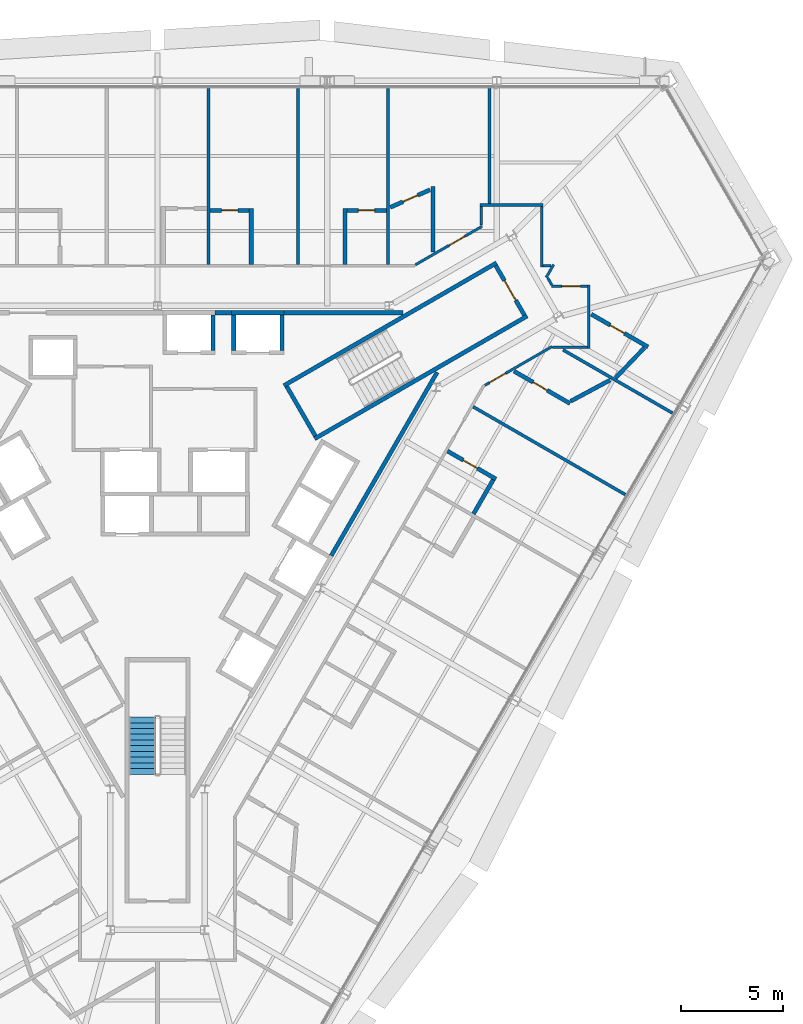
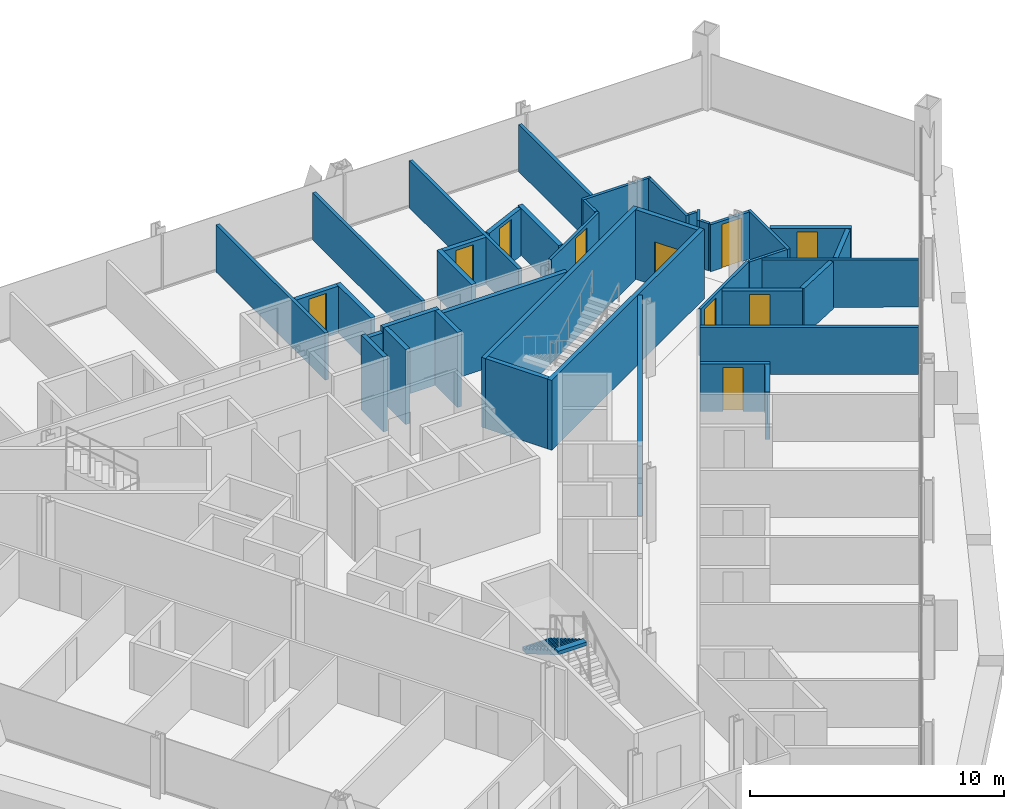
# One storey, part 14 of 17: 40 walls, 10 doors, 1 stair flight, 10 openings, 1 element without a shape of its own.
"""IFC4 building model written with IfcOpenShell, lengths in metres."""

from ifc_helpers import new_model, si_unit, direction, frame, frame_2d, origin, place, context, subcontext, project, spatial, polyline, rectangle, outline, extrude, material, layer, layer_set, type_object, element, fill, aggregate, save


model = new_model("IFC4")

# Units and contexts
model_context = context("Model", 3, precision=1e-05, world=origin(), true_north=direction((0.0, 1.0)))
body_context = subcontext(model_context, "Body", "Model", "MODEL_VIEW")
ifc_project = project(units=[si_unit("LENGTHUNIT", "METRE"), si_unit("AREAUNIT", "SQUARE_METRE"), si_unit("VOLUMEUNIT", "CUBIC_METRE"), si_unit("PLANEANGLEUNIT", "RADIAN"), si_unit("MASSUNIT", "GRAM", prefix="KILO")], contexts=[model_context])

# Site, building, storey
site_placement = place(None, origin())
site = spatial("IfcSite", under=ifc_project, at=site_placement, CompositionType="ELEMENT")
building_placement = place(site_placement, origin())
building = spatial("IfcBuilding", under=site, at=building_placement, Name="Verrane Prism Tower", CompositionType="ELEMENT")
storey_placement = place(building_placement, frame((0.0, 0.0, 139.60009765625)))
storey = spatial("IfcBuildingStorey", under=building, at=storey_placement, Name="L34", CompositionType="ELEMENT", Elevation=139.60009765625)

# Walls
ifc_material_1 = material(Name="Gypsum board partition", Category="other")
ifc_layer_1 = layer(ifc_material_1, 0.199951171875)
ifc_layer_set_1 = layer_set([ifc_layer_1], Name="CW-200 core boundary wall 2 h")
wall_type_1 = type_object("IfcWallType", Name="CW-200 core boundary wall 2 h", PredefinedType="PARTITIONING", material=ifc_layer_set_1)
wall_1_placement = place(storey_placement, frame((2.81689453125, 8.860107421875, 0.0), z_axis=(0.0, 0.0, 1.0), x_axis=(1.0, 0.0, 0.0)))
element("IfcWall", 1, at=wall_1_placement, inside=storey, type_object=wall_type_1, Name="Core boundary wall CW3-011", PredefinedType="PARTITIONING", context=body_context, shape_type="SweptSolid", body=[
    extrude(rectangle(XDim=0.80615234375, YDim=0.199951171875, at=frame_2d((0.403076171875, 0.0))), origin(), (0.0, 0.0, 1.0), 3.349853515625),
])
wall_2_placement = place(storey_placement, frame((6.177001953125, 8.860107421875, 0.0), z_axis=(0.0, 0.0, 1.0), x_axis=(1.0, 0.0, 0.0)))
element("IfcWall", 2, at=wall_2_placement, inside=storey, type_object=wall_type_1, Name="Core boundary wall CW3-013", PredefinedType="PARTITIONING", context=body_context, shape_type="SweptSolid", body=[
    extrude(rectangle(XDim=5.81396484375, YDim=0.199951171875, at=frame_2d((2.906982421875, 0.0))), origin(), (0.0, 0.0, 1.0), 3.349853515625),
])
wall_3_placement = place(storey_placement, frame((8.491943359375, -3.011962890625, 0.0), z_axis=(0.0, 0.0, 1.0), x_axis=(0.499972957231, 0.866041016371, 0.0)))
element("IfcWall", 3, at=wall_3_placement, inside=storey, type_object=wall_type_1, Name="Core boundary wall CW3-014", PredefinedType="PARTITIONING", context=body_context, shape_type="SweptSolid", body=[
    extrude(rectangle(XDim=10.3486328125, YDim=0.199951171875, at=frame_2d((5.17431640625, 0.0))), origin(), (0.0, 0.0, 1.0), 3.349853515625),
])

# Wall, opening, door
ifc_material_2 = material(Name="Concrete C40/50", Category="concrete")
ifc_layer_2 = layer(ifc_material_2, 0.199951171875)
ifc_layer_set_2 = layer_set([ifc_layer_2], Name="CW-200 stair core wall concrete C40/50 3 h")
wall_type_2 = type_object("IfcWallType", Name="CW-200 stair core wall concrete C40/50 3 h", PredefinedType="PARTITIONING", material=ifc_layer_set_2)
wall_4_placement = place(storey_placement, frame((17.933837890625, 8.737548828125, 0.0), z_axis=(0.0, 0.0, 1.0), x_axis=(-0.49998411664, 0.866034573852, 0.0)))
wall_4 = element("IfcWall", 4, at=wall_4_placement, inside=storey, type_object=wall_type_2, Name="Stair 1 enclosure wall", PredefinedType="PARTITIONING", context=body_context, shape_type="SweptSolid", body=[
    extrude(rectangle(XDim=2.7998046875, YDim=0.199951171875, at=frame_2d((1.39990234375, 0.0))), origin(), (0.0, 0.0, 1.0), 3.349853515625),
])
opening_1_placement = place(wall_4_placement, frame((0.849853515625, 0.0, 0.0)))
opening_1 = element("IfcOpeningElement", 5, at=opening_1_placement, cuts=wall_4, Name="Opening D32500", PredefinedType="OPENING", context=body_context, shape_type="SweptSolid", body=[
    extrude(rectangle(XDim=1.10009765625, YDim=2.10009765625, at=frame_2d((0.550048828125, 1.050048828125))), frame((0.0, 0.10986328125, 0.0), z_axis=(0.0, -1.0, 0.0), x_axis=(1.0, 0.0, 0.0)), (0.0, 0.0, 1.0), 0.219970703125),
])
ifc_material_3 = material(Name="Timber veneered door leaf", Category="wood")
door_type_1 = type_object("IfcDoorType", Name="DR-1100x2100 FD90 single leaf stair", OperationType="NOTDEFINED", PredefinedType="DOOR", material=ifc_material_3)
door_1_placement = place(opening_1_placement, origin())
door_1 = element("IfcDoor", 6, at=door_1_placement, inside=storey, type_object=door_type_1, Name="Stair 1 door", OperationType="SINGLE_SWING_LEFT", OverallHeight=2.10009765625, OverallWidth=1.10009765625, PredefinedType="DOOR", context=body_context, shape_type="SweptSolid", body=[
    extrude(rectangle(XDim=1.10009765625, YDim=2.10009765625, at=frame_2d((0.550048828125, 1.050048828125))), frame((0.0, 0.02490234375, 0.0), z_axis=(0.0, -1.0, 0.0), x_axis=(1.0, 0.0, 0.0)), (0.0, 0.0, 1.0), 0.050048828125),
])
fill(opening_1, door_1)

# Walls
for number, where, z_axis, x_axis, name in (
    (7, (6.17822265625, 5.299072265625, 0.0), (0.0, 0.0, 1.0), (0.866026010844, 0.49999894854, 0.0), "Stair 1 enclosure wall"),
    (8, (7.67822265625, 2.700927734375, 0.0), (0.0, 0.0, 1.0), (0.866026010844, 0.49999894854, 0.0), "Stair 1 enclosure wall"),
):
    element("IfcWall", number, at=place(storey_placement, frame(where, z_axis=z_axis, x_axis=x_axis)), inside=storey, type_object=wall_type_2, Name=name, PredefinedType="PARTITIONING", context=body_context, shape_type="SweptSolid", body=[
        extrude(rectangle(XDim=12.0, YDim=0.199951171875, at=frame_2d((6.0, 0.0))), origin(), (0.0, 0.0, 1.0), 3.349853515625),
    ])
wall_5_placement = place(storey_placement, frame((7.71484375, 2.837646484375, 0.0), z_axis=(0.0, 0.0, 1.0), x_axis=(-0.500049511043, 0.865996816683, 0.0)))
element("IfcWall", 9, at=wall_5_placement, inside=storey, type_object=wall_type_2, Name="Stair 1 enclosure wall", PredefinedType="PARTITIONING", context=body_context, shape_type="SweptSolid", body=[
    extrude(rectangle(XDim=2.800048828125, YDim=0.199951171875, at=frame_2d((1.39990234375, 0.0))), origin(), (0.0, 0.0, 1.0), 3.349853515625),
])
ifc_material_4 = material(Name="Gypsum board shaft wall assembly", Category="other")
ifc_layer_3 = layer(ifc_material_4, 0.199951171875)
ifc_layer_set_3 = layer_set([ifc_layer_3], Name="HW-200 lift shaft wall 2 h")
wall_type_3 = type_object("IfcWallType", Name="HW-200 lift shaft wall 2 h", PredefinedType="PARTITIONING", material=ifc_layer_set_3)
wall_6_placement = place(storey_placement, frame((3.625, 8.860107421875, 0.0), z_axis=(0.0, 0.0, 1.0), x_axis=(1.0, 0.0, 0.0)))
element("IfcWall", 10, at=wall_6_placement, inside=storey, type_object=wall_type_3, Name="Lift shaft wall", PredefinedType="PARTITIONING", context=body_context, shape_type="SweptSolid", body=[
    extrude(rectangle(XDim=2.550048828125, YDim=0.199951171875, at=frame_2d((1.27490234375, 0.0))), origin(), (0.0, 0.0, 1.0), 3.599853515625),
])
for number, where, z_axis, x_axis, name in (
    (11, (6.074951171875, 7.010009765625, 0.0), (0.0, 0.0, 1.0), (0.0, 1.0, 0.0), "Lift shaft wall"),
    (12, (3.72509765625, 7.010009765625, 0.0), (0.0, 0.0, 1.0), (0.0, 1.0, 0.0), "Lift shaft wall"),
    (13, (2.715087890625, 7.010009765625, 0.0), (0.0, 0.0, 1.0), (0.0, 1.0, 0.0), "Lift shaft wall"),
):
    element("IfcWall", number, at=place(storey_placement, frame(where, z_axis=z_axis, x_axis=x_axis)), inside=storey, type_object=wall_type_3, Name=name, PredefinedType="PARTITIONING", context=body_context, shape_type="SweptSolid", body=[
        extrude(rectangle(XDim=1.75, YDim=0.199951171875, at=frame_2d((0.875, 0.0))), origin(), (0.0, 0.0, 1.0), 3.599853515625),
    ])

# Wall, opening, door
ifc_material_5 = material(Name="Gypsum board partition", Category="other")
ifc_layer_4 = layer(ifc_material_5, 0.125)
ifc_layer_set_4 = layer_set([ifc_layer_4], Name="PW-125 corridor wall 1 h")
wall_type_4 = type_object("IfcWallType", Name="PW-125 corridor wall 1 h", PredefinedType="PARTITIONING", material=ifc_layer_set_4)
wall_7_placement = place(storey_placement, frame((12.604736328125, 11.203369140625, 0.0), z_axis=(0.0, 0.0, 1.0), x_axis=(0.866113281362, 0.499847760672, 0.0)))
wall_7 = element("IfcWall", 14, at=wall_7_placement, inside=storey, type_object=wall_type_4, Name="Corridor wall 074", PredefinedType="PARTITIONING", context=body_context, shape_type="SweptSolid", body=[
    extrude(rectangle(XDim=3.766845703125, YDim=0.125, at=frame_2d((1.88330078125, 0.0))), origin(), (0.0, 0.0, 1.0), 2.261962890625),
])
opening_2_placement = place(wall_7_placement, frame((1.889892578125, 0.0, 0.0)))
opening_2 = element("IfcOpeningElement", 15, at=opening_2_placement, cuts=wall_7, Name="Opening D32017", PredefinedType="OPENING", context=body_context, shape_type="SweptSolid", body=[
    extrude(rectangle(XDim=0.89990234375, YDim=2.10009765625, at=frame_2d((0.449951171875, 1.050048828125))), frame((0.0, 0.072509765625, 0.0), z_axis=(0.0, -1.0, 0.0), x_axis=(1.0, 0.0, 0.0)), (0.0, 0.0, 1.0), 0.14501953125),
])
ifc_material_6 = material(Name="Timber veneered door leaf", Category="wood")
door_type_2 = type_object("IfcDoorType", Name="DR-900x2100 FD20 single leaf unit", OperationType="NOTDEFINED", PredefinedType="DOOR", material=ifc_material_6)
door_2_placement = place(opening_2_placement, origin())
door_2 = element("IfcDoor", 16, at=door_2_placement, inside=storey, type_object=door_type_2, Name="Guest Room door", OperationType="SINGLE_SWING_LEFT", OverallHeight=2.10009765625, OverallWidth=0.89990234375, PredefinedType="DOOR", context=body_context, shape_type="SweptSolid", body=[
    extrude(rectangle(XDim=0.89990234375, YDim=2.10009765625, at=frame_2d((0.449951171875, 1.050048828125))), frame((0.0, 0.02490234375, 0.0), z_axis=(0.0, -1.0, 0.0), x_axis=(1.0, 0.0, 0.0)), (0.0, 0.0, 1.0), 0.050048828125),
])
fill(opening_2, door_2)

# Walls
wall_8_placement = place(storey_placement, frame((15.81298828125, 13.139892578125, 0.0), z_axis=(0.0, 0.0, 1.0), x_axis=(0.0, 1.0, 0.0)))
element("IfcWall", 17, at=wall_8_placement, inside=storey, type_object=wall_type_4, Name="Corridor wall 081", PredefinedType="PARTITIONING", context=body_context, shape_type="SweptSolid", body=[
    extrude(rectangle(XDim=0.922119140625, YDim=0.125, at=frame_2d((0.4609375, 0.0))), origin(), (0.0, 0.0, 1.0), 2.261962890625),
])
wall_9_placement = place(storey_placement, frame((15.75048828125, 14.126953125, 0.0), z_axis=(0.0, 0.0, 1.0), x_axis=(1.0, 0.0, 0.0)))
element("IfcWall", 18, at=wall_9_placement, inside=storey, type_object=wall_type_4, Name="Corridor wall 082", PredefinedType="PARTITIONING", context=body_context, shape_type="SweptSolid", body=[
    extrude(rectangle(XDim=3.09912109375, YDim=0.125, at=frame_2d((1.549560546875, 0.0))), origin(), (0.0, 0.0, 1.0), 2.261962890625),
])

# Wall, opening, door
wall_10_placement = place(storey_placement, frame((19.278076171875, 7.204345703125, 0.0), z_axis=(0.0, 0.0, 1.0), x_axis=(-0.866028547684, -0.499994554566, 0.0)))
wall_10 = element("IfcWall", 19, at=wall_10_placement, inside=storey, type_object=wall_type_4, Name="Corridor wall 083", PredefinedType="PARTITIONING", context=body_context, shape_type="SweptSolid", body=[
    extrude(rectangle(XDim=3.77978515625, YDim=0.125, at=frame_2d((1.889892578125, 0.0))), origin(), (0.0, 0.0, 1.0), 2.261962890625),
])
opening_3_placement = place(wall_10_placement, frame((2.61474609375, 0.0, 0.0)))
opening_3 = element("IfcOpeningElement", 20, at=opening_3_placement, cuts=wall_10, Name="Opening D32013", PredefinedType="OPENING", context=body_context, shape_type="SweptSolid", body=[
    extrude(rectangle(XDim=0.89990234375, YDim=2.10009765625, at=frame_2d((0.449951171875, 1.050048828125))), frame((0.0, 0.072509765625, 0.0), z_axis=(0.0, -1.0, 0.0), x_axis=(1.0, 0.0, 0.0)), (0.0, 0.0, 1.0), 0.14501953125),
])
door_3_placement = place(opening_3_placement, origin())
door_3 = element("IfcDoor", 21, at=door_3_placement, inside=storey, type_object=door_type_2, Name="Guest Room door", OperationType="SINGLE_SWING_RIGHT", OverallHeight=2.10009765625, OverallWidth=0.89990234375, PredefinedType="DOOR", context=body_context, shape_type="SweptSolid", body=[
    extrude(rectangle(XDim=0.89990234375, YDim=2.10009765625, at=frame_2d((0.449951171875, 1.050048828125))), frame((0.0, 0.02490234375, 0.0), z_axis=(0.0, -1.0, 0.0), x_axis=(1.0, 0.0, 0.0)), (0.0, 0.0, 1.0), 0.050048828125),
])
fill(opening_3, door_3)

# Walls
wall_11_placement = place(storey_placement, frame((18.787109375, 11.098388671875, 0.0), z_axis=(0.0, 0.0, 1.0), x_axis=(0.0, 1.0, 0.0)))
element("IfcWall", 22, at=wall_11_placement, inside=storey, type_object=wall_type_4, Name="Corridor wall 086", PredefinedType="PARTITIONING", context=body_context, shape_type="SweptSolid", body=[
    extrude(rectangle(XDim=2.963623046875, YDim=0.125, at=frame_2d((1.48193359375, 0.0))), origin(), (0.0, 0.0, 1.0), 2.261962890625),
])
wall_12_placement = place(storey_placement, frame((18.85205078125, 11.160888671875, 0.0), z_axis=(0.0, 0.0, 1.0), x_axis=(1.0, 0.0, 0.0)))
element("IfcWall", 23, at=wall_12_placement, inside=storey, type_object=wall_type_4, Name="Corridor wall 087", PredefinedType="PARTITIONING", context=body_context, shape_type="SweptSolid", body=[
    extrude(rectangle(XDim=0.3740234375, YDim=0.125, at=frame_2d((0.18701171875, 0.0))), origin(), (0.0, 0.0, 1.0), 2.261962890625),
])
wall_13_placement = place(storey_placement, frame((19.072509765625, 10.5654296875, 0.0), z_axis=(0.0, 0.0, 1.0), x_axis=(0.499899443193, -0.866083452501, 0.0)))
element("IfcWall", 24, at=wall_13_placement, inside=storey, type_object=wall_type_4, Name="Corridor wall 088", PredefinedType="PARTITIONING", context=body_context, shape_type="SweptSolid", body=[
    extrude(rectangle(XDim=0.39794921875, YDim=0.125, at=frame_2d((0.198974609375, 0.0))), origin(), (0.0, 0.0, 1.0), 2.261962890625),
])
wall_14_placement = place(storey_placement, frame((18.998779296875, 10.5849609375, 0.0), z_axis=(0.0, 0.0, 1.0), x_axis=(0.499712769023, 0.866191173169, 0.0)))
element("IfcWall", 25, at=wall_14_placement, inside=storey, type_object=wall_type_4, Name="Corridor wall 089", PredefinedType="PARTITIONING", context=body_context, shape_type="SweptSolid", body=[
    extrude(rectangle(XDim=0.7275390625, YDim=0.125, at=frame_2d((0.36376953125, 0.0))), origin(), (0.0, 0.0, 1.0), 2.261962890625),
])
wall_15_placement = place(storey_placement, frame((19.30908203125, 7.173095703125, 0.0), z_axis=(0.0, 0.0, 1.0), x_axis=(1.0, 0.0, 0.0)))
element("IfcWall", 26, at=wall_15_placement, inside=storey, type_object=wall_type_4, Name="Corridor wall 090", PredefinedType="PARTITIONING", context=body_context, shape_type="SweptSolid", body=[
    extrude(rectangle(XDim=1.712890625, YDim=0.125, at=frame_2d((0.8564453125, 0.0))), origin(), (0.0, 0.0, 1.0), 2.261962890625),
])

# Wall, opening, door
wall_16_placement = place(storey_placement, frame((19.25146484375, 10.14697265625, 0.0), z_axis=(0.0, 0.0, 1.0), x_axis=(1.0, 0.0, 0.0)))
wall_16 = element("IfcWall", 27, at=wall_16_placement, inside=storey, type_object=wall_type_4, Name="Corridor wall 091", PredefinedType="PARTITIONING", context=body_context, shape_type="SweptSolid", body=[
    extrude(rectangle(XDim=1.7705078125, YDim=0.125, at=frame_2d((0.88525390625, 0.0))), origin(), (0.0, 0.0, 1.0), 2.261962890625),
])
opening_4_placement = place(wall_16_placement, frame((0.512451171875, 0.0, 0.0)))
opening_4 = element("IfcOpeningElement", 28, at=opening_4_placement, cuts=wall_16, Name="Opening D32015", PredefinedType="OPENING", context=body_context, shape_type="SweptSolid", body=[
    extrude(rectangle(XDim=0.89990234375, YDim=2.10009765625, at=frame_2d((0.449951171875, 1.050048828125))), frame((0.0, 0.072509765625, 0.0), z_axis=(0.0, -1.0, 0.0), x_axis=(1.0, 0.0, 0.0)), (0.0, 0.0, 1.0), 0.14501953125),
])
door_4_placement = place(opening_4_placement, origin())
door_4 = element("IfcDoor", 29, at=door_4_placement, inside=storey, type_object=door_type_2, Name="Corner Suite door", OperationType="SINGLE_SWING_LEFT", OverallHeight=2.10009765625, OverallWidth=0.89990234375, PredefinedType="DOOR", context=body_context, shape_type="SweptSolid", body=[
    extrude(rectangle(XDim=0.89990234375, YDim=2.10009765625, at=frame_2d((0.449951171875, 1.050048828125))), frame((0.0, 0.02490234375, 0.0), z_axis=(0.0, -1.0, 0.0), x_axis=(1.0, 0.0, 0.0)), (0.0, 0.0, 1.0), 0.050048828125),
])
fill(opening_4, door_4)

# Walls
wall_17_placement = place(storey_placement, frame((21.0869140625, 7.110595703125, 0.0), z_axis=(0.0, 0.0, 1.0), x_axis=(0.0, 1.0, 0.0)))
element("IfcWall", 30, at=wall_17_placement, inside=storey, type_object=wall_type_4, Name="Corridor wall 094", PredefinedType="PARTITIONING", context=body_context, shape_type="SweptSolid", body=[
    extrude(rectangle(XDim=3.098876953125, YDim=0.125, at=frame_2d((1.54931640625, 0.0))), origin(), (0.0, 0.0, 1.0), 2.261962890625),
])
ifc_material_7 = material(Name="Gypsum board partition", Category="other")
ifc_layer_5 = layer(ifc_material_7, 0.14990234375)
ifc_layer_set_5 = layer_set([ifc_layer_5], Name="PW-150 demising wall 1 h")
wall_type_5 = type_object("IfcWallType", Name="PW-150 demising wall 1 h", PredefinedType="PARTITIONING", material=ifc_layer_set_5)
for number, where, z_axis, x_axis, name in (
    (31, (2.48193359375, 11.223388671875, 0.0), (0.0, 0.0, 1.0), (0.0, 1.0, 0.0), "Demising wall 050"),
    (32, (6.8720703125, 11.223388671875, 0.0), (0.0, 0.0, 1.0), (0.0, 1.0, 0.0), "Demising wall 062"),
    (33, (11.261962890625, 11.223388671875, 0.0), (0.0, 0.0, 1.0), (0.0, 1.0, 0.0), "Demising wall 071"),
):
    element("IfcWall", number, at=place(storey_placement, frame(where, z_axis=z_axis, x_axis=x_axis)), inside=storey, type_object=wall_type_5, Name=name, PredefinedType="PARTITIONING", context=body_context, shape_type="SweptSolid", body=[
        extrude(rectangle(XDim=8.591552734375, YDim=0.14990234375, at=frame_2d((4.2958984375, 0.0))), origin(), (0.0, 0.0, 1.0), 2.261962890625),
    ])
wall_18_placement = place(storey_placement, frame((15.424072265625, 4.267822265625, 0.0), z_axis=(0.0, 0.0, 1.0), x_axis=(0.866022320763, -0.500005339912, 0.0)))
element("IfcWall", 34, at=wall_18_placement, inside=storey, type_object=wall_type_5, Name="Demising wall 079", PredefinedType="PARTITIONING", context=body_context, shape_type="SweptSolid", body=[
    extrude(rectangle(XDim=8.59130859375, YDim=0.14990234375, at=frame_2d((4.295654296875, 0.0))), origin(), (0.0, 0.0, 1.0), 2.261962890625),
])
wall_19_placement = place(storey_placement, frame((16.22607421875, 14.189453125, 0.0), z_axis=(0.0, 0.0, 1.0), x_axis=(0.0, 1.0, 0.0)))
element("IfcWall", 35, at=wall_19_placement, inside=storey, type_object=wall_type_5, Name="Demising wall 084", PredefinedType="PARTITIONING", context=body_context, shape_type="SweptSolid", body=[
    extrude(rectangle(XDim=5.62548828125, YDim=0.14990234375, at=frame_2d((2.812744140625, 0.0))), origin(), (0.0, 0.0, 1.0), 2.261962890625),
])
wall_20_placement = place(storey_placement, frame((19.82177734375, 7.045654296875, 0.0), z_axis=(0.0, 0.0, 1.0), x_axis=(0.866041323853, -0.499972424619, 0.0)))
element("IfcWall", 36, at=wall_20_placement, inside=storey, type_object=wall_type_5, Name="Demising wall 092", PredefinedType="PARTITIONING", context=body_context, shape_type="SweptSolid", body=[
    extrude(rectangle(XDim=6.171630859375, YDim=0.14990234375, at=frame_2d((3.0859375, 0.0))), origin(), (0.0, 0.0, 1.0), 2.261962890625),
])

# Wall, opening, door
ifc_material_8 = material(Name="Gypsum board partition", Category="other")
ifc_layer_6 = layer(ifc_material_8, 0.199951171875)
ifc_layer_set_6 = layer_set([ifc_layer_6], Name="PW-200 plumbing wall")
wall_type_6 = type_object("IfcWallType", Name="PW-200 plumbing wall", PredefinedType="PARTITIONING", material=ifc_layer_set_6)
wall_21_placement = place(storey_placement, frame((4.48193359375, 13.861083984375, 0.0), z_axis=(0.0, 0.0, 1.0), x_axis=(-1.0, 0.0, 0.0)))
wall_21 = element("IfcWall", 37, at=wall_21_placement, inside=storey, type_object=wall_type_6, Name="Plumbing wall 051", PredefinedType="PARTITIONING", context=body_context, shape_type="SweptSolid", body=[
    extrude(rectangle(XDim=1.925048828125, YDim=0.199951171875, at=frame_2d((0.96240234375, 0.0))), origin(), (0.0, 0.0, 1.0), 2.261962890625),
])
opening_5_placement = place(wall_21_placement, frame((0.550048828125, 0.0, 0.0)))
opening_5 = element("IfcOpeningElement", 38, at=opening_5_placement, cuts=wall_21, Name="Opening D32022", PredefinedType="OPENING", context=body_context, shape_type="SweptSolid", body=[
    extrude(rectangle(XDim=0.800048828125, YDim=2.10009765625, at=frame_2d((0.39990234375, 1.050048828125))), frame((0.0, 0.10986328125, 0.0), z_axis=(0.0, -1.0, 0.0), x_axis=(1.0, 0.0, 0.0)), (0.0, 0.0, 1.0), 0.219970703125),
])
ifc_material_9 = material(Name="Timber veneered door leaf", Category="wood")
door_type_3 = type_object("IfcDoorType", Name="DR-800x2100 single leaf bath", OperationType="NOTDEFINED", PredefinedType="DOOR", material=ifc_material_9)
door_5_placement = place(opening_5_placement, origin())
door_5 = element("IfcDoor", 39, at=door_5_placement, inside=storey, type_object=door_type_3, Name="En-Suite door", OperationType="SINGLE_SWING_LEFT", OverallHeight=2.10009765625, OverallWidth=0.800048828125, PredefinedType="DOOR", context=body_context, shape_type="SweptSolid", body=[
    extrude(rectangle(XDim=0.800048828125, YDim=2.10009765625, at=frame_2d((0.39990234375, 1.050048828125))), frame((0.0, 0.02490234375, 0.0), z_axis=(0.0, -1.0, 0.0), x_axis=(1.0, 0.0, 0.0)), (0.0, 0.0, 1.0), 0.050048828125),
])
fill(opening_5, door_5)

# Walls
for number, where, z_axis, x_axis, name in (
    (40, (4.58203125, 11.223388671875, 0.0), (0.0, 0.0, 1.0), (0.0, 1.0, 0.0), "Plumbing wall 058"),
    (41, (9.162109375, 11.223388671875, 0.0), (0.0, 0.0, 1.0), (0.0, 1.0, 0.0), "Plumbing wall 065"),
):
    element("IfcWall", number, at=place(storey_placement, frame(where, z_axis=z_axis, x_axis=x_axis)), inside=storey, type_object=wall_type_6, Name=name, PredefinedType="PARTITIONING", context=body_context, shape_type="SweptSolid", body=[
        extrude(rectangle(XDim=2.737548828125, YDim=0.199951171875, at=frame_2d((1.36865234375, 0.0))), origin(), (0.0, 0.0, 1.0), 2.261962890625),
    ])

# Wall, opening, door
wall_22_placement = place(storey_placement, frame((11.18701171875, 13.861083984375, 0.0), z_axis=(0.0, 0.0, 1.0), x_axis=(-1.0, 0.0, 0.0)))
wall_22 = element("IfcWall", 42, at=wall_22_placement, inside=storey, type_object=wall_type_6, Name="Plumbing wall 066", PredefinedType="PARTITIONING", context=body_context, shape_type="SweptSolid", body=[
    extrude(rectangle(XDim=1.925048828125, YDim=0.199951171875, at=frame_2d((0.96240234375, 0.0))), origin(), (0.0, 0.0, 1.0), 2.261962890625),
])
opening_6_placement = place(wall_22_placement, frame((0.574951171875, 0.0, 0.0)))
opening_6 = element("IfcOpeningElement", 43, at=opening_6_placement, cuts=wall_22, Name="Opening D32020", PredefinedType="OPENING", context=body_context, shape_type="SweptSolid", body=[
    extrude(rectangle(XDim=0.800048828125, YDim=2.10009765625, at=frame_2d((0.39990234375, 1.050048828125))), frame((0.0, 0.10986328125, 0.0), z_axis=(0.0, -1.0, 0.0), x_axis=(1.0, 0.0, 0.0)), (0.0, 0.0, 1.0), 0.219970703125),
])
door_6_placement = place(opening_6_placement, origin())
door_6 = element("IfcDoor", 44, at=door_6_placement, inside=storey, type_object=door_type_3, Name="En-Suite door", OperationType="SINGLE_SWING_LEFT", OverallHeight=2.10009765625, OverallWidth=0.800048828125, PredefinedType="DOOR", context=body_context, shape_type="SweptSolid", body=[
    extrude(rectangle(XDim=0.800048828125, YDim=2.10009765625, at=frame_2d((0.39990234375, 1.050048828125))), frame((0.0, 0.02490234375, 0.0), z_axis=(0.0, -1.0, 0.0), x_axis=(1.0, 0.0, 0.0)), (0.0, 0.0, 1.0), 0.050048828125),
])
fill(opening_6, door_6)

wall_23_placement = place(storey_placement, frame((13.3203125, 14.869384765625, 0.0), z_axis=(0.0, 0.0, 1.0), x_axis=(-0.914870345188, -0.403747757263, 0.0)))
wall_23 = element("IfcWall", 45, at=wall_23_placement, inside=storey, type_object=wall_type_6, Name="Plumbing wall 072", PredefinedType="PARTITIONING", context=body_context, shape_type="SweptSolid", body=[
    extrude(rectangle(XDim=2.123779296875, YDim=0.199951171875, at=frame_2d((1.06201171875, 0.0))), origin(), (0.0, 0.0, 1.0), 2.261962890625),
])
opening_7_placement = place(wall_23_placement, frame((0.649658203125, 0.0, 0.0)))
opening_7 = element("IfcOpeningElement", 46, at=opening_7_placement, cuts=wall_23, Name="Opening D32018", PredefinedType="OPENING", context=body_context, shape_type="SweptSolid", body=[
    extrude(rectangle(XDim=0.800048828125, YDim=2.10009765625, at=frame_2d((0.39990234375, 1.050048828125))), frame((0.0, 0.10986328125, 0.0), z_axis=(0.0, -1.0, 0.0), x_axis=(1.0, 0.0, 0.0)), (0.0, 0.0, 1.0), 0.219970703125),
])
door_7_placement = place(opening_7_placement, origin())
door_7 = element("IfcDoor", 47, at=door_7_placement, inside=storey, type_object=door_type_3, Name="En-Suite door", OperationType="SINGLE_SWING_LEFT", OverallHeight=2.10009765625, OverallWidth=0.800048828125, PredefinedType="DOOR", context=body_context, shape_type="SweptSolid", body=[
    extrude(rectangle(XDim=0.800048828125, YDim=2.10009765625, at=frame_2d((0.39990234375, 1.050048828125))), frame((0.0, 0.02490234375, 0.0), z_axis=(0.0, -1.0, 0.0), x_axis=(1.0, 0.0, 0.0)), (0.0, 0.0, 1.0), 0.050048828125),
])
fill(opening_7, door_7)

# Wall
wall_24_placement = place(storey_placement, frame((13.4619140625, 11.828857421875, 0.0), z_axis=(0.0, 0.0, 1.0), x_axis=(0.0, 1.0, 0.0)))
element("IfcWall", 48, at=wall_24_placement, inside=storey, type_object=wall_type_6, Name="Plumbing wall 076", PredefinedType="PARTITIONING", context=body_context, shape_type="SweptSolid", body=[
    extrude(rectangle(XDim=3.203125, YDim=0.199951171875, at=frame_2d((1.6015625, 0.0))), origin(), (0.0, 0.0, 1.0), 2.261962890625),
])

# Wall, opening, door
wall_25_placement = place(storey_placement, frame((16.54248046875, 0.73095703125, 0.0), z_axis=(0.0, 0.0, 1.0), x_axis=(-0.86596722502, 0.50010075504, 0.0)))
wall_25 = element("IfcWall", 49, at=wall_25_placement, inside=storey, type_object=wall_type_6, Name="Plumbing wall 077", PredefinedType="PARTITIONING", context=body_context, shape_type="SweptSolid", body=[
    extrude(rectangle(XDim=2.7373046875, YDim=0.199951171875, at=frame_2d((1.36865234375, 0.0))), origin(), (0.0, 0.0, 1.0), 2.261962890625),
])
opening_8_placement = place(wall_25_placement, frame((1.0498046875, 0.0, 0.0)))
opening_8 = element("IfcOpeningElement", 50, at=opening_8_placement, cuts=wall_25, Name="Opening D32012", PredefinedType="OPENING", context=body_context, shape_type="SweptSolid", body=[
    extrude(rectangle(XDim=0.800048828125, YDim=2.10009765625, at=frame_2d((0.39990234375, 1.050048828125))), frame((0.0, 0.10986328125, 0.0), z_axis=(0.0, -1.0, 0.0), x_axis=(1.0, 0.0, 0.0)), (0.0, 0.0, 1.0), 0.219970703125),
])
door_8_placement = place(opening_8_placement, origin())
door_8 = element("IfcDoor", 51, at=door_8_placement, inside=storey, type_object=door_type_3, Name="En-Suite door", OperationType="SINGLE_SWING_LEFT", OverallHeight=2.10009765625, OverallWidth=0.800048828125, PredefinedType="DOOR", context=body_context, shape_type="SweptSolid", body=[
    extrude(rectangle(XDim=0.800048828125, YDim=2.10009765625, at=frame_2d((0.39990234375, 1.050048828125))), frame((0.0, 0.02490234375, 0.0), z_axis=(0.0, -1.0, 0.0), x_axis=(1.0, 0.0, 0.0)), (0.0, 0.0, 1.0), 0.050048828125),
])
fill(opening_8, door_8)

# Wall
wall_26_placement = place(storey_placement, frame((15.446044921875, -0.96875, 0.0), z_axis=(0.0, 0.0, 1.0), x_axis=(0.499913221443, 0.866075499611, 0.0)))
element("IfcWall", 52, at=wall_26_placement, inside=storey, type_object=wall_type_6, Name="Plumbing wall 080", PredefinedType="PARTITIONING", context=body_context, shape_type="SweptSolid", body=[
    extrude(rectangle(XDim=1.920166015625, YDim=0.199951171875, at=frame_2d((0.9599609375, 0.0))), origin(), (0.0, 0.0, 1.0), 2.261962890625),
])

# Wall, opening, door
wall_27_placement = place(storey_placement, frame((17.424560546875, 6.004150390625, 0.0), z_axis=(0.0, 0.0, 1.0), x_axis=(0.866145753309, -0.499791490549, 0.0)))
wall_27 = element("IfcWall", 53, at=wall_27_placement, inside=storey, type_object=wall_type_6, Name="Plumbing wall 085", PredefinedType="PARTITIONING", context=body_context, shape_type="SweptSolid", body=[
    extrude(rectangle(XDim=3.163330078125, YDim=0.199951171875, at=frame_2d((1.58154296875, 0.0))), origin(), (0.0, 0.0, 1.0), 2.261962890625),
])
opening_9_placement = place(wall_27_placement, frame((1.070068359375, 0.0, 0.0)))
opening_9 = element("IfcOpeningElement", 54, at=opening_9_placement, cuts=wall_27, Name="Opening D32014", PredefinedType="OPENING", context=body_context, shape_type="SweptSolid", body=[
    extrude(rectangle(XDim=0.800048828125, YDim=2.10009765625, at=frame_2d((0.39990234375, 1.050048828125))), frame((0.0, 0.10986328125, 0.0), z_axis=(0.0, -1.0, 0.0), x_axis=(1.0, 0.0, 0.0)), (0.0, 0.0, 1.0), 0.219970703125),
])
door_9_placement = place(opening_9_placement, origin())
door_9 = element("IfcDoor", 55, at=door_9_placement, inside=storey, type_object=door_type_3, Name="En-Suite door", OperationType="SINGLE_SWING_RIGHT", OverallHeight=2.10009765625, OverallWidth=0.800048828125, PredefinedType="DOOR", context=body_context, shape_type="SweptSolid", body=[
    extrude(rectangle(XDim=0.800048828125, YDim=2.10009765625, at=frame_2d((0.39990234375, 1.050048828125))), frame((0.0, 0.02490234375, 0.0), z_axis=(0.0, -1.0, 0.0), x_axis=(1.0, 0.0, 0.0)), (0.0, 0.0, 1.0), 0.050048828125),
])
fill(opening_9, door_9)

# Wall
wall_28_placement = place(storey_placement, frame((20.197021484375, 4.536865234375, 0.0), z_axis=(0.0, 0.0, 1.0), x_axis=(0.881162538645, 0.472813473253, 0.0)))
element("IfcWall", 56, at=wall_28_placement, inside=storey, type_object=wall_type_6, Name="Plumbing wall 093", PredefinedType="PARTITIONING", context=body_context, shape_type="SweptSolid", body=[
    extrude(rectangle(XDim=2.185302734375, YDim=0.199951171875, at=frame_2d((1.0927734375, 0.0))), origin(), (0.0, 0.0, 1.0), 2.261962890625),
])

# Wall, opening, door
wall_29_placement = place(storey_placement, frame((23.9736328125, 7.18896484375, 0.0), z_axis=(0.0, 0.0, 1.0), x_axis=(-0.866105631149, 0.499861016376, 0.0)))
wall_29 = element("IfcWall", 57, at=wall_29_placement, inside=storey, type_object=wall_type_6, Name="Plumbing wall 095", PredefinedType="PARTITIONING", context=body_context, shape_type="SweptSolid", body=[
    extrude(rectangle(XDim=3.203125, YDim=0.199951171875, at=frame_2d((1.6015625, 0.0))), origin(), (0.0, 0.0, 1.0), 2.261962890625),
])
opening_10_placement = place(wall_29_placement, frame((1.332763671875, 0.0, 0.0)))
opening_10 = element("IfcOpeningElement", 58, at=opening_10_placement, cuts=wall_29, Name="Opening D32016", PredefinedType="OPENING", context=body_context, shape_type="SweptSolid", body=[
    extrude(rectangle(XDim=0.800048828125, YDim=2.10009765625, at=frame_2d((0.39990234375, 1.050048828125))), frame((0.0, 0.10986328125, 0.0), z_axis=(0.0, -1.0, 0.0), x_axis=(1.0, 0.0, 0.0)), (0.0, 0.0, 1.0), 0.219970703125),
])
door_10_placement = place(opening_10_placement, origin())
door_10 = element("IfcDoor", 59, at=door_10_placement, inside=storey, type_object=door_type_3, Name="En-Suite door", OperationType="SINGLE_SWING_LEFT", OverallHeight=2.10009765625, OverallWidth=0.800048828125, PredefinedType="DOOR", context=body_context, shape_type="SweptSolid", body=[
    extrude(rectangle(XDim=0.800048828125, YDim=2.10009765625, at=frame_2d((0.39990234375, 1.050048828125))), frame((0.0, 0.02490234375, 0.0), z_axis=(0.0, -1.0, 0.0), x_axis=(1.0, 0.0, 0.0)), (0.0, 0.0, 1.0), 0.050048828125),
])
fill(opening_10, door_10)

# Wall
wall_30_placement = place(storey_placement, frame((22.388427734375, 5.677490234375, 0.0), z_axis=(0.0, 0.0, 1.0), x_axis=(0.692374421384, 0.721538398572, 0.0)))
element("IfcWall", 60, at=wall_30_placement, inside=storey, type_object=wall_type_6, Name="Plumbing wall 096", PredefinedType="PARTITIONING", context=body_context, shape_type="SweptSolid", body=[
    extrude(rectangle(XDim=2.0341796875, YDim=0.199951171875, at=frame_2d((1.01708984375, 0.0))), origin(), (0.0, 0.0, 1.0), 2.261962890625),
])

# Stair, stair flight
ifc_material_10 = material(Name="Concrete C40/50", Category="concrete")
stair_type = type_object("IfcStairType", Name="Exit stair 1300 dog-leg precast concrete C40/50", PredefinedType="HALF_TURN_STAIR", material=ifc_material_10)
stair_placement = place(storey_placement, origin())
stair = element("IfcStair", 61, at=stair_placement, inside=storey, type_object=stair_type, Name="Stair 3 L34", PredefinedType="HALF_TURN_STAIR")
ifc_material_11 = material(Name="Concrete C40/50", Category="concrete")
stair_flight_type = type_object("IfcStairFlightType", Name="Stair flight 1300 precast concrete C40/50", PredefinedType="STRAIGHT", material=ifc_material_11)
stair_flight_placement = place(storey_placement, frame((-0.75, -10.89990234375, 1.7998046875), z_axis=(0.0, 0.0, 1.0), x_axis=(0.0, -1.0, 0.0)))
stair_flight = element("IfcStairFlight", 62, at=stair_flight_placement, type_object=stair_flight_type, Name="Stair 3 flight 2", NumberOfRisers=11, NumberOfTreads=10, PredefinedType="STRAIGHT", RiserHeight=0.163636364, TreadLength=0.28, context=body_context, shape_type="SweptSolid", body=[
    extrude(outline(polyline([(0.0, 0.0), (0.0, 0.16357421875), (0.280029296875, 0.16357421875), (0.280029296875, 0.327392578125), (0.56005859375, 0.327392578125), (0.56005859375, 0.490966796875), (0.840087890625, 0.490966796875), (0.840087890625, 0.654541015625), (1.1201171875, 0.654541015625), (1.1201171875, 0.818115234375), (1.39990234375, 0.818115234375), (1.39990234375, 0.98193359375), (1.679931640625, 0.98193359375), (1.679931640625, 1.1455078125), (1.9599609375, 1.1455078125), (1.9599609375, 1.30908203125), (2.239990234375, 1.30908203125), (2.239990234375, 1.47265625), (2.52001953125, 1.47265625), (2.52001953125, 1.636474609375), (2.800048828125, 1.636474609375), (2.800048828125, 1.800048828125), (2.800048828125, 1.462646484375), (0.297119140625, 0.0), (0.0, 0.0)])), frame((0.0, 0.64990234375, 0.0), z_axis=(0.0, -1.0, 0.0), x_axis=(1.0, 0.0, 0.0)), (0.0, 0.0, 1.0), 1.300048828125),
])
aggregate(stair, [stair_flight])

save(model, "model.ifc")
